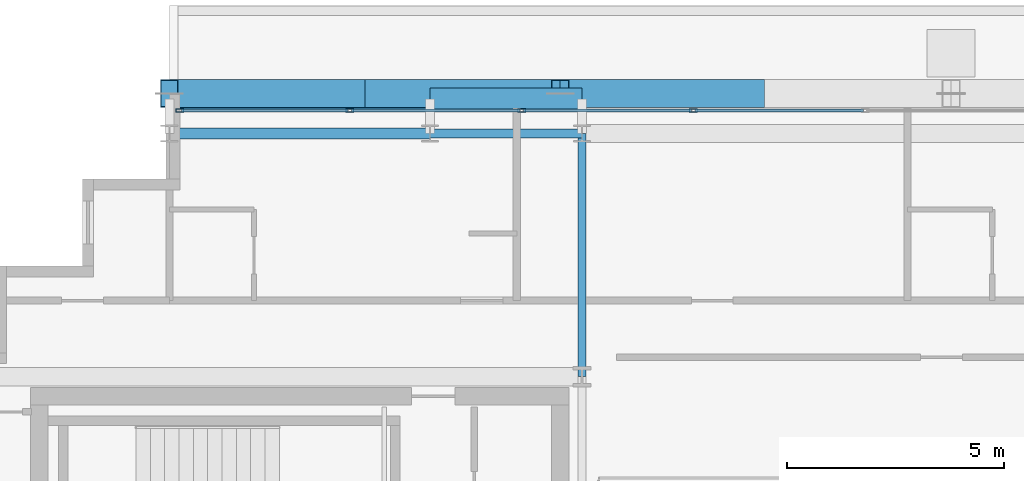
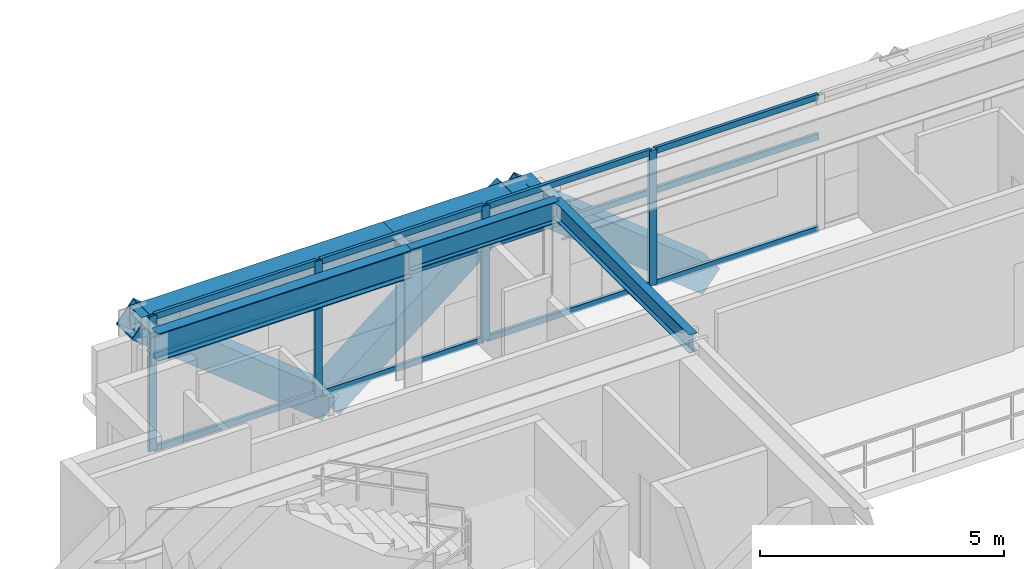
# One storey, part 13 of 27: 19 members, 5 beams, 1 element without a shape of its own.
"""IFC4 building model written with IfcOpenShell, lengths in metres."""

from ifc_helpers import new_model, si_unit, direction, frame, origin, origin_2d, place, context, subcontext, project, spatial, hollow_rectangle, i_section, extrude, source, transform, mapped, material, layer, layer_set, material_profile, profile_set, type_object, element, aggregate, save


model = new_model("IFC4")

# Units and contexts
model_context = context("Model", 3, precision=1e-05, world=origin(), true_north=direction((0.0, 1.0)))
body_context = subcontext(model_context, "Body", "Model", "MODEL_VIEW")
ifc_project = project(units=[si_unit("LENGTHUNIT", "METRE"), si_unit("AREAUNIT", "SQUARE_METRE"), si_unit("VOLUMEUNIT", "CUBIC_METRE"), si_unit("PLANEANGLEUNIT", "RADIAN"), si_unit("MASSUNIT", "GRAM", prefix="KILO")], contexts=[model_context])

# Site, building, storey
site_placement = place(None, origin())
site = spatial("IfcSite", under=ifc_project, at=site_placement, CompositionType="ELEMENT")
building_placement = place(site_placement, origin())
building = spatial("IfcBuilding", under=site, at=building_placement, Name="Ocotamira Hotel", CompositionType="ELEMENT")
storey_placement = place(building_placement, frame((0.0, 0.0, 232.800048828125)))
storey = spatial("IfcBuildingStorey", under=building, at=storey_placement, Name="L58", CompositionType="ELEMENT", Elevation=232.800048828125)

# Beams
ifc_material_1 = material(Name="Steel ASTM A992 Grade 50", Category="steel")
ifc_material_profile_1 = material_profile(ifc_material_1, i_section(OverallWidth=0.256103515625, OverallDepth=0.693115234375, WebThickness=0.014404296875, FlangeThickness=0.023681640625, FilletRadius=0.01611328125, at=origin_2d()), Name="W27X114")
ifc_profile_set_1 = profile_set([ifc_material_profile_1], Name="Steel ASTM A992 Grade 50")
beam_type_1 = type_object("IfcBeamType", Name="BM-PRIM-W27X114", PredefinedType="BEAM", material=ifc_profile_set_1)
shared_shape_1 = source(origin(), body_context, "Body", "SweptSolid", [
    extrude(i_section(OverallWidth=0.256103515625, OverallDepth=0.693115234375, WebThickness=0.014404296875, FlangeThickness=0.023681640625, FilletRadius=0.01611328125, at=origin_2d()), origin(), (0.0, 0.0, 1.0), 6.0),
])
beam_1_placement = place(storey_placement, frame((14.0, 43.050048828125, 3.033447265625), z_axis=(1.0, 0.0, 0.0), x_axis=(0.0, 1.0, 0.0)))
element("IfcBeam", 1, at=beam_1_placement, inside=storey, type_object=beam_type_1, Name="L58 Girder Y43.05 X14-20", PredefinedType="BEAM", context=body_context, shape_type="MappedRepresentation", body=[
    mapped(shared_shape_1, transform((0.0, 0.0, 0.0), scale=1.0)),
])
ifc_material_profile_2 = material_profile(ifc_material_1, i_section(OverallWidth=0.2099609375, OverallDepth=0.537109375, WebThickness=0.010986328125, FlangeThickness=0.017333984375, FilletRadius=0.012939453125, at=origin_2d()), Name="W21X68")
ifc_profile_set_2 = profile_set([ifc_material_profile_2], Name="Steel ASTM A992 Grade 50")
beam_type_2 = type_object("IfcBeamType", Name="BM-SEC-W21X68", PredefinedType="JOIST", material=ifc_profile_set_2)
shared_shape_2 = source(origin(), body_context, "Body", "SweptSolid", [
    extrude(i_section(OverallWidth=0.2099609375, OverallDepth=0.537109375, WebThickness=0.010986328125, FlangeThickness=0.017333984375, FilletRadius=0.012939453125, at=origin_2d()), origin(), (0.0, 0.0, 1.0), 3.5),
])
beam_2_placement = place(storey_placement, frame((20.0, 43.050048828125, 3.111572265625), z_axis=(1.0, 0.0, 0.0), x_axis=(0.0, 1.0, 0.0)))
element("IfcBeam", 2, at=beam_2_placement, inside=storey, type_object=beam_type_2, Name="L58 Girder Y43.05 X20-23.5", PredefinedType="JOIST", context=body_context, shape_type="MappedRepresentation", body=[
    mapped(shared_shape_2, transform((0.0, 0.0, 0.0), scale=1.0)),
])
ifc_material_2 = material(Name="Steel ASTM A500 Grade C", Category="steel")
ifc_material_profile_3 = material_profile(ifc_material_2, hollow_rectangle(XDim=0.5, YDim=0.5, WallThickness=0.02001953125, at=origin_2d()), Name="HSS500X500X20")
ifc_profile_set_3 = profile_set([ifc_material_profile_3], Name="Steel ASTM A500 Grade C")
beam_type_3 = type_object("IfcBeamType", Name="BM-SPAN-HSS500", PredefinedType="USERDEFINED", material=ifc_profile_set_3)
shared_shape_3 = source(origin(), body_context, "Body", "SweptSolid", [
    extrude(hollow_rectangle(XDim=0.5, YDim=0.5, WallThickness=0.02001953125, at=origin_2d()), origin(), (0.0, 0.0, 1.0), 6.0),
])
beam_3_placement = place(storey_placement, frame((14.0, 43.85009765625, 3.1298828125), z_axis=(1.0, 0.0, 0.0), x_axis=(0.0, 1.0, 0.0)))
element("IfcBeam", 3, at=beam_3_placement, inside=storey, type_object=beam_type_3, Name="L58 Edge Spandrel N X14-20", ObjectType="SPANDREL", PredefinedType="USERDEFINED", context=body_context, shape_type="MappedRepresentation", body=[
    mapped(shared_shape_3, transform((0.0, 0.0, 0.0), scale=1.0)),
])
shared_shape_4 = source(origin(), body_context, "Body", "SweptSolid", [
    extrude(hollow_rectangle(XDim=0.5, YDim=0.5, WallThickness=0.02001953125, at=origin_2d()), origin(), (0.0, 0.0, 1.0), 3.5),
])
beam_4_placement = place(storey_placement, frame((20.0, 43.85009765625, 3.1298828125), z_axis=(1.0, 0.0, 0.0), x_axis=(0.0, 1.0, 0.0)))
element("IfcBeam", 4, at=beam_4_placement, inside=storey, type_object=beam_type_3, Name="L58 Edge Spandrel N X20-23.5", ObjectType="SPANDREL", PredefinedType="USERDEFINED", context=body_context, shape_type="MappedRepresentation", body=[
    mapped(shared_shape_4, transform((0.0, 0.0, 0.0), scale=1.0)),
])
ifc_material_profile_4 = material_profile(ifc_material_1, i_section(OverallWidth=0.18994140625, OverallDepth=0.45703125, WebThickness=0.009033203125, FlangeThickness=0.014404296875, FilletRadius=0.010009765625, at=origin_2d()), Name="W18X50")
ifc_profile_set_4 = profile_set([ifc_material_profile_4], Name="Steel ASTM A992 Grade 50")
beam_type_4 = type_object("IfcBeamType", Name="BM-SEC-W18X50", PredefinedType="JOIST", material=ifc_profile_set_4)
shared_shape_5 = source(origin(), body_context, "Body", "SweptSolid", [
    extrude(i_section(OverallWidth=0.18994140625, OverallDepth=0.45703125, WebThickness=0.009033203125, FlangeThickness=0.014404296875, FilletRadius=0.010009765625, at=origin_2d()), origin(), (0.0, 0.0, 1.0), 5.60009765625),
])
beam_5_placement = place(storey_placement, frame((23.5, 37.449951171875, 3.1513671875), z_axis=(0.0, 1.0, 0.0), x_axis=(-1.0, 0.0, 0.0)))
element("IfcBeam", 5, at=beam_5_placement, inside=storey, type_object=beam_type_4, Name="L58 Beam X23.5 Y37.45-43.05", PredefinedType="JOIST", context=body_context, shape_type="MappedRepresentation", body=[
    mapped(shared_shape_5, transform((0.0, 0.0, 0.0), scale=1.0)),
])

# Members
ifc_material_3 = material(Name="Pale-metal coated steel ASTM A913 Grade 65", Category="steel")
ifc_material_profile_5 = material_profile(ifc_material_3, hollow_rectangle(XDim=0.64990234375, YDim=0.64990234375, WallThickness=0.02197265625, at=origin_2d()), Name="BOX650X650X22")
ifc_profile_set_5 = profile_set([ifc_material_profile_5], Name="Pale-metal coated steel ASTM A913 Grade 65")
member_type_1 = type_object("IfcMemberType", Name="MEM-EXO-BOX650", PredefinedType="BRACE", material=ifc_profile_set_5)
shared_shape_6 = source(origin(), body_context, "Body", "SweptSolid", [
    extrude(hollow_rectangle(XDim=0.64990234375, YDim=0.64990234375, WallThickness=0.02197265625, at=origin_2d()), origin(), (0.0, 0.0, 1.0), 5.7626953125),
])
for number, where, z_axis, x_axis, name in (
    (6, (18.5, 43.969970703125, -0.469970703125), (-0.780881208953, 0.0, 0.624679547852), (0.0, -1.0, 0.0), "L58 Exoskeleton Diagrid N0.1"),
    (7, (18.5, 43.969970703125, -0.469970703125), (0.780881208953, 0.0, 0.624679547852), (0.0, 1.0, 0.0), "L58 Exoskeleton Diagrid N0.2"),
    (8, (27.5, 43.969970703125, -0.469970703125), (-0.780881208953, 0.0, 0.624679547852), (0.0, -1.0, 0.0), "L58 Exoskeleton Diagrid N1.1"),
):
    element("IfcMember", number, at=place(storey_placement, frame(where, z_axis=z_axis, x_axis=x_axis)), inside=storey, type_object=member_type_1, Name=name, PredefinedType="BRACE", context=body_context, shape_type="MappedRepresentation", body=[
        mapped(shared_shape_6, transform((0.0, 0.0, 0.0), scale=1.0)),
    ])

# Curtain wall, members
ifc_material_4 = material(Name="Anodised pale-metal aluminium and solar glass", Category="aluminium")
ifc_layer = layer(ifc_material_4, 0.239990234375)
ifc_layer_set = layer_set([ifc_layer], Name="Anodised pale-metal aluminium and solar glass")
curtain_wall_type = type_object("IfcCurtainWallType", Name="CW-SYS5-SKY", PredefinedType="NOTDEFINED", material=ifc_layer_set)
curtain_wall_placement = place(storey_placement, origin())
curtain_wall = element("IfcCurtainWall", 9, at=curtain_wall_placement, inside=storey, type_object=curtain_wall_type, Name="L58 Curtain Wall CW-5 CW-L58-N", PredefinedType="NOTDEFINED")
ifc_material_5 = material(Name="Anodised pale-metal aluminium 6063-T6", Category="aluminium")
ifc_material_profile_6 = material_profile(ifc_material_5, hollow_rectangle(XDim=0.074951171875, YDim=0.14990234375, WallThickness=0.006103515625, at=origin_2d()), Name="HSS150X75X6")
ifc_profile_set_6 = profile_set([ifc_material_profile_6], Name="Anodised pale-metal aluminium 6063-T6")
member_type_2 = type_object("IfcMemberType", Name="CWT-150X75", PredefinedType="USERDEFINED", material=ifc_profile_set_6)
shared_shape_7 = source(origin(), body_context, "Body", "SweptSolid", [
    extrude(hollow_rectangle(XDim=0.074951171875, YDim=0.14990234375, WallThickness=0.006103515625, at=origin_2d()), origin(), (0.0, 0.0, 1.0), 3.83544921875),
])
member_1_placement = place(storey_placement, frame((14.280029296875, 43.580078125, 0.037353515625), z_axis=(1.0, 0.0, 0.0), x_axis=(0.0, 1.0, 0.0)))
member_1 = element("IfcMember", 10, at=member_1_placement, type_object=member_type_2, Name="CW-5 transom 1.1", ObjectType="TRANSOM", PredefinedType="USERDEFINED", context=body_context, shape_type="MappedRepresentation", body=[
    mapped(shared_shape_7, transform((0.0, 0.0, 0.0), scale=1.0)),
])
member_2_placement = place(storey_placement, frame((14.280029296875, 43.580078125, 2.349853515625), z_axis=(1.0, 0.0, 0.0), x_axis=(0.0, 1.0, 0.0)))
member_2 = element("IfcMember", 11, at=member_2_placement, type_object=member_type_2, Name="CW-5 transom 1.2", ObjectType="TRANSOM", PredefinedType="USERDEFINED", context=body_context, shape_type="MappedRepresentation", body=[
    mapped(shared_shape_7, transform((0.0, 0.0, 0.0), scale=1.0)),
])
member_3_placement = place(storey_placement, frame((14.280029296875, 43.580078125, 3.342529296875), z_axis=(1.0, 0.0, 0.0), x_axis=(0.0, 1.0, 0.0)))
member_3 = element("IfcMember", 12, at=member_3_placement, type_object=member_type_2, Name="CW-5 transom 1.3", ObjectType="TRANSOM", PredefinedType="USERDEFINED", context=body_context, shape_type="MappedRepresentation", body=[
    mapped(shared_shape_7, transform((0.0, 0.0, 0.0), scale=1.0)),
])
shared_shape_8 = source(origin(), body_context, "Body", "SweptSolid", [
    extrude(hollow_rectangle(XDim=0.074951171875, YDim=0.14990234375, WallThickness=0.006103515625, at=origin_2d()), origin(), (0.0, 0.0, 1.0), 3.87548828125),
])
member_4_placement = place(storey_placement, frame((18.195556640625, 43.580078125, 0.037353515625), z_axis=(1.0, 0.0, 0.0), x_axis=(0.0, 1.0, 0.0)))
member_4 = element("IfcMember", 13, at=member_4_placement, type_object=member_type_2, Name="CW-5 transom 2.1", ObjectType="TRANSOM", PredefinedType="USERDEFINED", context=body_context, shape_type="MappedRepresentation", body=[
    mapped(shared_shape_8, transform((0.0, 0.0, 0.0), scale=1.0)),
])
member_5_placement = place(storey_placement, frame((18.195556640625, 43.580078125, 2.349853515625), z_axis=(1.0, 0.0, 0.0), x_axis=(0.0, 1.0, 0.0)))
member_5 = element("IfcMember", 14, at=member_5_placement, type_object=member_type_2, Name="CW-5 transom 2.2", ObjectType="TRANSOM", PredefinedType="USERDEFINED", context=body_context, shape_type="MappedRepresentation", body=[
    mapped(shared_shape_8, transform((0.0, 0.0, 0.0), scale=1.0)),
])
member_6_placement = place(storey_placement, frame((18.195556640625, 43.580078125, 3.342529296875), z_axis=(1.0, 0.0, 0.0), x_axis=(0.0, 1.0, 0.0)))
member_6 = element("IfcMember", 15, at=member_6_placement, type_object=member_type_2, Name="CW-5 transom 2.3", ObjectType="TRANSOM", PredefinedType="USERDEFINED", context=body_context, shape_type="MappedRepresentation", body=[
    mapped(shared_shape_8, transform((0.0, 0.0, 0.0), scale=1.0)),
])
member_7_placement = place(storey_placement, frame((22.151123046875, 43.580078125, 0.037353515625), z_axis=(1.0, 0.0, 0.0), x_axis=(0.0, 1.0, 0.0)))
member_7 = element("IfcMember", 16, at=member_7_placement, type_object=member_type_2, Name="CW-5 transom 3.1", ObjectType="TRANSOM", PredefinedType="USERDEFINED", context=body_context, shape_type="MappedRepresentation", body=[
    mapped(shared_shape_8, transform((0.0, 0.0, 0.0), scale=1.0)),
])
member_8_placement = place(storey_placement, frame((22.151123046875, 43.580078125, 2.349853515625), z_axis=(1.0, 0.0, 0.0), x_axis=(0.0, 1.0, 0.0)))
member_8 = element("IfcMember", 17, at=member_8_placement, type_object=member_type_2, Name="CW-5 transom 3.2", ObjectType="TRANSOM", PredefinedType="USERDEFINED", context=body_context, shape_type="MappedRepresentation", body=[
    mapped(shared_shape_8, transform((0.0, 0.0, 0.0), scale=1.0)),
])
member_9_placement = place(storey_placement, frame((22.151123046875, 43.580078125, 3.342529296875), z_axis=(1.0, 0.0, 0.0), x_axis=(0.0, 1.0, 0.0)))
member_9 = element("IfcMember", 18, at=member_9_placement, type_object=member_type_2, Name="CW-5 transom 3.3", ObjectType="TRANSOM", PredefinedType="USERDEFINED", context=body_context, shape_type="MappedRepresentation", body=[
    mapped(shared_shape_8, transform((0.0, 0.0, 0.0), scale=1.0)),
])
member_10_placement = place(storey_placement, frame((26.106689453125, 43.580078125, 0.037353515625), z_axis=(1.0, 0.0, 0.0), x_axis=(0.0, 1.0, 0.0)))
member_10 = element("IfcMember", 19, at=member_10_placement, type_object=member_type_2, Name="CW-5 transom 4.1", ObjectType="TRANSOM", PredefinedType="USERDEFINED", context=body_context, shape_type="MappedRepresentation", body=[
    mapped(shared_shape_8, transform((0.0, 0.0, 0.0), scale=1.0)),
])
member_11_placement = place(storey_placement, frame((26.106689453125, 43.580078125, 2.349853515625), z_axis=(1.0, 0.0, 0.0), x_axis=(0.0, 1.0, 0.0)))
member_11 = element("IfcMember", 20, at=member_11_placement, type_object=member_type_2, Name="CW-5 transom 4.2", ObjectType="TRANSOM", PredefinedType="USERDEFINED", context=body_context, shape_type="MappedRepresentation", body=[
    mapped(shared_shape_8, transform((0.0, 0.0, 0.0), scale=1.0)),
])
member_12_placement = place(storey_placement, frame((26.106689453125, 43.580078125, 3.342529296875), z_axis=(1.0, 0.0, 0.0), x_axis=(0.0, 1.0, 0.0)))
member_12 = element("IfcMember", 21, at=member_12_placement, type_object=member_type_2, Name="CW-5 transom 4.3", ObjectType="TRANSOM", PredefinedType="USERDEFINED", context=body_context, shape_type="MappedRepresentation", body=[
    mapped(shared_shape_8, transform((0.0, 0.0, 0.0), scale=1.0)),
])
ifc_material_profile_7 = material_profile(ifc_material_5, hollow_rectangle(XDim=0.080078125, YDim=0.179931640625, WallThickness=0.006103515625, at=origin_2d()), Name="HSS180X80X6")
ifc_profile_set_7 = profile_set([ifc_material_profile_7], Name="Anodised pale-metal aluminium 6063-T6")
member_type_3 = type_object("IfcMemberType", Name="CWM-180X75", PredefinedType="MULLION", material=ifc_profile_set_7)
shared_shape_9 = source(origin(), body_context, "Body", "SweptSolid", [
    extrude(hollow_rectangle(XDim=0.080078125, YDim=0.179931640625, WallThickness=0.006103515625, at=origin_2d()), origin(), (0.0, 0.0, 1.0), 3.3798828125),
])
member_13_placement = place(storey_placement, frame((14.239990234375, 43.580078125, 0.0), z_axis=(0.0, 0.0, 1.0), x_axis=(0.0, 1.0, 0.0)))
member_13 = element("IfcMember", 22, at=member_13_placement, type_object=member_type_3, Name="CW-5 mullion 1", PredefinedType="MULLION", context=body_context, shape_type="MappedRepresentation", body=[
    mapped(shared_shape_9, transform((0.0, 0.0, 0.0), scale=1.0)),
])
member_14_placement = place(storey_placement, frame((18.155517578125, 43.580078125, 0.0), z_axis=(0.0, 0.0, 1.0), x_axis=(0.0, 1.0, 0.0)))
member_14 = element("IfcMember", 23, at=member_14_placement, type_object=member_type_3, Name="CW-5 mullion 2", PredefinedType="MULLION", context=body_context, shape_type="MappedRepresentation", body=[
    mapped(shared_shape_9, transform((0.0, 0.0, 0.0), scale=1.0)),
])
member_15_placement = place(storey_placement, frame((22.111083984375, 43.580078125, 0.0), z_axis=(0.0, 0.0, 1.0), x_axis=(0.0, 1.0, 0.0)))
member_15 = element("IfcMember", 24, at=member_15_placement, type_object=member_type_3, Name="CW-5 mullion 3", PredefinedType="MULLION", context=body_context, shape_type="MappedRepresentation", body=[
    mapped(shared_shape_9, transform((0.0, 0.0, 0.0), scale=1.0)),
])
member_16_placement = place(storey_placement, frame((26.066650390625, 43.580078125, 0.0), z_axis=(0.0, 0.0, 1.0), x_axis=(0.0, 1.0, 0.0)))
member_16 = element("IfcMember", 25, at=member_16_placement, type_object=member_type_3, Name="CW-5 mullion 4", PredefinedType="MULLION", context=body_context, shape_type="MappedRepresentation", body=[
    mapped(shared_shape_9, transform((0.0, 0.0, 0.0), scale=1.0)),
])
aggregate(curtain_wall, [member_13, member_14, member_15, member_16, member_1, member_2, member_3, member_4, member_5, member_6, member_7, member_8, member_9, member_10, member_11, member_12])

save(model, "model.ifc")
